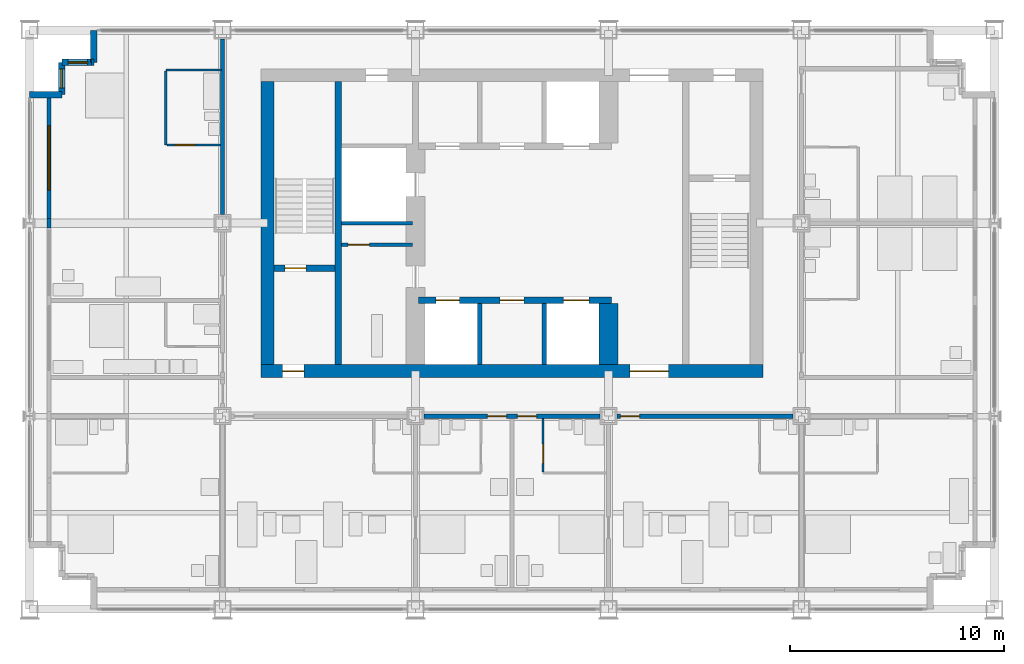
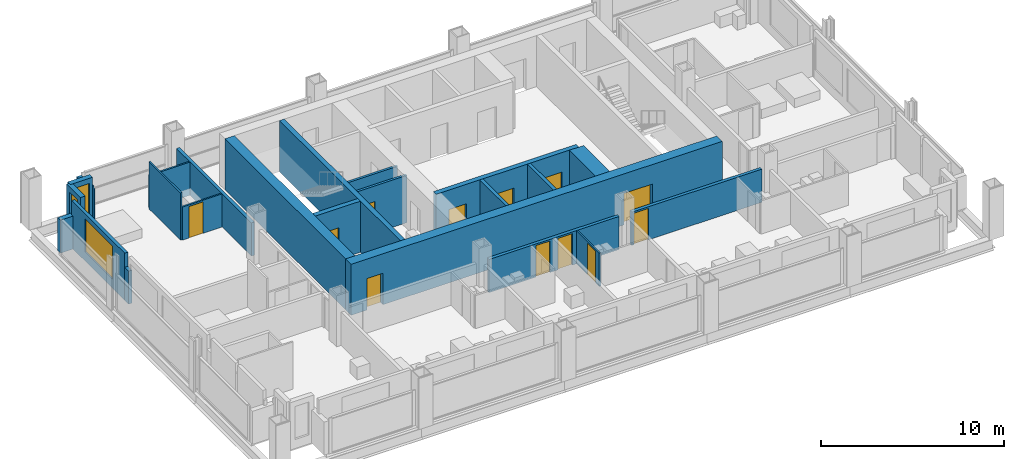
# One storey, part 8 of 13: 24 walls, 12 doors, 3 windows, 15 openings.
"""IFC4 building model written with IfcOpenShell, lengths in metres."""

from ifc_helpers import new_model, si_unit, direction, frame, frame_2d, origin, place, context, subcontext, project, spatial, rectangle, extrude, material, layer, layer_set, type_object, element, fill, save


model = new_model("IFC4")

# Units and contexts
model_context = context("Model", 3, precision=1e-05, world=origin(), true_north=direction((0.0, 1.0)))
body_context = subcontext(model_context, "Body", "Model", "MODEL_VIEW")
ifc_project = project(units=[si_unit("LENGTHUNIT", "METRE"), si_unit("AREAUNIT", "SQUARE_METRE"), si_unit("VOLUMEUNIT", "CUBIC_METRE"), si_unit("PLANEANGLEUNIT", "RADIAN"), si_unit("MASSUNIT", "GRAM", prefix="KILO")], contexts=[model_context])

# Site, building, storey
site_placement = place(None, origin())
site = spatial("IfcSite", under=ifc_project, at=site_placement, CompositionType="ELEMENT")
building_placement = place(site_placement, origin())
building = spatial("IfcBuilding", under=site, at=building_placement, Name="Loomwork Tower", CompositionType="ELEMENT")
storey_placement = place(building_placement, frame((0.0, 0.0, 218.199951171875)))
storey = spatial("IfcBuildingStorey", under=building, at=storey_placement, Name="L60", CompositionType="ELEMENT", Elevation=218.199951171875)

# Wall
ifc_material_1 = material(Name="Concrete 14000 psi (97 MPa)", Category="concrete")
ifc_layer_1 = layer(ifc_material_1, 0.300048828125)
ifc_layer_set_1 = layer_set([ifc_layer_1], Name="Core shear wall 300")
wall_type_1 = type_object("IfcWallType", Name="Core shear wall 300", PredefinedType="SHEAR", material=ifc_layer_set_1)
wall_1_placement = place(storey_placement, frame((14.39990234375, 11.39990234375, 0.0), z_axis=(0.0, 0.0, 1.0), x_axis=(0.0, 1.0, 0.0)))
element("IfcWall", 1, at=wall_1_placement, inside=storey, type_object=wall_type_1, Name="Stair A east wall L60", PredefinedType="SHEAR", context=body_context, shape_type="SweptSolid", body=[
    extrude(rectangle(XDim=13.2001953125, YDim=0.300048828125, at=frame_2d((6.60009765625, 0.0))), origin(), (0.0, 0.0, 1.0), 3.400146484375),
])

# Wall, opening, door
wall_2_placement = place(storey_placement, frame((11.39990234375, 15.89990234375, 0.0), z_axis=(0.0, 0.0, 1.0), x_axis=(1.0, 0.0, 0.0)))
wall_2 = element("IfcWall", 2, at=wall_2_placement, inside=storey, type_object=wall_type_1, Name="Stair A south wall L60", PredefinedType="SHEAR", context=body_context, shape_type="SweptSolid", body=[
    extrude(rectangle(XDim=2.85009765625, YDim=0.300048828125, at=frame_2d((1.425048828125, 0.0))), origin(), (0.0, 0.0, 1.0), 3.400146484375),
])
opening_1_placement = place(wall_2_placement, frame((0.5, 0.0, 0.0)))
opening_1 = element("IfcOpeningElement", 3, at=opening_1_placement, cuts=wall_2, Name="Opening D4", PredefinedType="OPENING", context=body_context, shape_type="SweptSolid", body=[
    extrude(rectangle(XDim=1.0, YDim=2.10009765625, at=frame_2d((0.5, 1.050048828125))), frame((0.0, 0.159912109375, 0.0), z_axis=(0.0, -1.0, 0.0), x_axis=(1.0, 0.0, 0.0)), (0.0, 0.0, 1.0), 0.320068359375),
])
ifc_material_2 = material(Name="Hollow metal door and frame")
door_type_1 = type_object("IfcDoorType", Name="Stair door 1000", OperationType="SINGLE_SWING_RIGHT", PredefinedType="DOOR", material=ifc_material_2)
door_1_placement = place(opening_1_placement, origin())
door_1 = element("IfcDoor", 4, at=door_1_placement, inside=storey, type_object=door_type_1, Name="Stair A door", OperationType="SINGLE_SWING_LEFT", OverallHeight=2.10009765625, OverallWidth=1.0, PredefinedType="DOOR", context=body_context, shape_type="SweptSolid", body=[
    extrude(rectangle(XDim=1.0, YDim=2.10009765625, at=frame_2d((0.5, 1.050048828125))), frame((0.0, 0.02490234375, 0.0), z_axis=(0.0, -1.0, 0.0), x_axis=(1.0, 0.0, 0.0)), (0.0, 0.0, 1.0), 0.050048828125),
])
fill(opening_1, door_1)

# Wall, openings, doors
wall_3_placement = place(storey_placement, frame((18.14990234375, 14.39990234375, 0.0), z_axis=(0.0, 0.0, 1.0), x_axis=(1.0, 0.0, 0.0)))
wall_3 = element("IfcWall", 5, at=wall_3_placement, inside=storey, type_object=wall_type_1, Name="Lift front wall south L60", PredefinedType="SHEAR", context=body_context, shape_type="SweptSolid", body=[
    extrude(rectangle(XDim=9.0, YDim=0.300048828125, at=frame_2d((4.5, 0.0))), origin(), (0.0, 0.0, 1.0), 3.400146484375),
])
opening_2_placement = place(wall_3_placement, frame((0.800048828125, 0.0, 0.0)))
opening_2 = element("IfcOpeningElement", 6, at=opening_2_placement, cuts=wall_3, Name="Opening LD1", PredefinedType="OPENING", context=body_context, shape_type="SweptSolid", body=[
    extrude(rectangle(XDim=1.10009765625, YDim=2.10009765625, at=frame_2d((0.550048828125, 1.050048828125))), frame((0.0, 0.159912109375, 0.0), z_axis=(0.0, -1.0, 0.0), x_axis=(1.0, 0.0, 0.0)), (0.0, 0.0, 1.0), 0.320068359375),
])
opening_3_placement = place(wall_3_placement, frame((6.75, 0.0, 0.0)))
opening_3 = element("IfcOpeningElement", 7, at=opening_3_placement, cuts=wall_3, Name="Opening LD2", PredefinedType="OPENING", context=body_context, shape_type="SweptSolid", body=[
    extrude(rectangle(XDim=1.199951171875, YDim=2.10009765625, at=frame_2d((0.60009765625, 1.050048828125))), frame((0.0, 0.159912109375, 0.0), z_axis=(0.0, -1.0, 0.0), x_axis=(1.0, 0.0, 0.0)), (0.0, 0.0, 1.0), 0.320068359375),
])
opening_4_placement = place(wall_3_placement, frame((3.800048828125, 0.0, 0.0)))
opening_4 = element("IfcOpeningElement", 8, at=opening_4_placement, cuts=wall_3, Name="Opening D17", PredefinedType="OPENING", context=body_context, shape_type="SweptSolid", body=[
    extrude(rectangle(XDim=1.10009765625, YDim=2.10009765625, at=frame_2d((0.550048828125, 1.050048828125))), frame((0.0, 0.159912109375, 0.0), z_axis=(0.0, -1.0, 0.0), x_axis=(1.0, 0.0, 0.0)), (0.0, 0.0, 1.0), 0.320068359375),
])
ifc_material_3 = material(Name="Hollow metal door and frame")
door_type_2 = type_object("IfcDoorType", Name="Lift landing door 1100", OperationType="SLIDING_TO_LEFT", PredefinedType="DOOR", material=ifc_material_3)
door_2_placement = place(opening_2_placement, origin())
door_2 = element("IfcDoor", 9, at=door_2_placement, inside=storey, type_object=door_type_2, Name="Lift landing door LC1", OperationType="SLIDING_TO_LEFT", OverallHeight=2.10009765625, OverallWidth=1.10009765625, PredefinedType="DOOR", context=body_context, shape_type="SweptSolid", body=[
    extrude(rectangle(XDim=1.10009765625, YDim=2.10009765625, at=frame_2d((0.550048828125, 1.050048828125))), frame((0.0, 0.02490234375, 0.0), z_axis=(0.0, -1.0, 0.0), x_axis=(1.0, 0.0, 0.0)), (0.0, 0.0, 1.0), 0.050048828125),
])
fill(opening_2, door_2)
ifc_material_4 = material(Name="Hollow metal door and frame")
door_type_3 = type_object("IfcDoorType", Name="Lift landing door 1200", OperationType="SLIDING_TO_LEFT", PredefinedType="DOOR", material=ifc_material_4)
door_3_placement = place(opening_3_placement, origin())
door_3 = element("IfcDoor", 10, at=door_3_placement, inside=storey, type_object=door_type_3, Name="Lift landing door LF1", OperationType="SLIDING_TO_LEFT", OverallHeight=2.10009765625, OverallWidth=1.199951171875, PredefinedType="DOOR", context=body_context, shape_type="SweptSolid", body=[
    extrude(rectangle(XDim=1.199951171875, YDim=2.10009765625, at=frame_2d((0.60009765625, 1.050048828125))), frame((0.0, 0.02490234375, 0.0), z_axis=(0.0, -1.0, 0.0), x_axis=(1.0, 0.0, 0.0)), (0.0, 0.0, 1.0), 0.050048828125),
])
fill(opening_3, door_3)
ifc_material_5 = material(Name="Hollow metal door and frame")
door_type_4 = type_object("IfcDoorType", Name="Service room door 1100", OperationType="SINGLE_SWING_LEFT", PredefinedType="DOOR", material=ifc_material_5)
door_4_placement = place(opening_4_placement, frame((1.10009765625, 0.0, 0.0), z_axis=(0.0, 0.0, 1.0), x_axis=(-1.0, 0.0, 0.0)))
door_4 = element("IfcDoor", 11, at=door_4_placement, inside=storey, type_object=door_type_4, Name="Guest pantry, ice and vending door L60", OperationType="SINGLE_SWING_RIGHT", OverallHeight=2.10009765625, OverallWidth=1.10009765625, PredefinedType="DOOR", context=body_context, shape_type="SweptSolid", body=[
    extrude(rectangle(XDim=1.10009765625, YDim=2.10009765625, at=frame_2d((0.550048828125, 1.050048828125))), frame((0.0, 0.02490234375, 0.0), z_axis=(0.0, -1.0, 0.0), x_axis=(1.0, 0.0, 0.0)), (0.0, 0.0, 1.0), 0.050048828125),
])
fill(opening_4, door_4)

ifc_material_6 = material(Name="Concrete 14000 psi (97 MPa)", Category="concrete")
ifc_layer_2 = layer(ifc_material_6, 0.60009765625)
ifc_layer_set_2 = layer_set([ifc_layer_2], Name="Core shear wall 600")
wall_type_2 = type_object("IfcWallType", Name="Core shear wall 600", PredefinedType="SHEAR", material=ifc_layer_set_2)
wall_4_placement = place(storey_placement, frame((10.800048828125, 11.10009765625, 0.0), z_axis=(0.0, 0.0, 1.0), x_axis=(1.0, 0.0, 0.0)))
wall_4 = element("IfcWall", 12, at=wall_4_placement, inside=storey, type_object=wall_type_2, Name="Core wall south L60", PredefinedType="SHEAR", context=body_context, shape_type="SweptSolid", body=[
    extrude(rectangle(XDim=23.39990234375, YDim=0.60009765625, at=frame_2d((11.699951171875, 0.0))), origin(), (0.0, 0.0, 1.0), 3.400146484375),
])
opening_5_placement = place(wall_4_placement, frame((1.0, 0.0, 0.0)))
opening_5 = element("IfcOpeningElement", 13, at=opening_5_placement, cuts=wall_4, Name="Opening D4", PredefinedType="OPENING", context=body_context, shape_type="SweptSolid", body=[
    extrude(rectangle(XDim=1.0, YDim=2.10009765625, at=frame_2d((0.5, 1.050048828125))), frame((0.0, 0.31005859375, 0.0), z_axis=(0.0, -1.0, 0.0), x_axis=(1.0, 0.0, 0.0)), (0.0, 0.0, 1.0), 0.6201171875),
])
opening_6_placement = place(wall_4_placement, frame((17.199951171875, 0.0, 0.0)))
opening_6 = element("IfcOpeningElement", 14, at=opening_6_placement, cuts=wall_4, Name="Opening D6", PredefinedType="OPENING", context=body_context, shape_type="SweptSolid", body=[
    extrude(rectangle(XDim=1.800048828125, YDim=2.10009765625, at=frame_2d((0.89990234375, 1.050048828125))), frame((0.0, 0.31005859375, 0.0), z_axis=(0.0, -1.0, 0.0), x_axis=(1.0, 0.0, 0.0)), (0.0, 0.0, 1.0), 0.6201171875),
])
ifc_material_7 = material(Name="Hollow metal door and frame")
door_type_5 = type_object("IfcDoorType", Name="Lobby passage double door 1800", OperationType="DOUBLE_DOOR_SINGLE_SWING", PredefinedType="DOOR", material=ifc_material_7)
door_5_placement = place(opening_6_placement, origin())
door_5 = element("IfcDoor", 15, at=door_5_placement, inside=storey, type_object=door_type_5, Name="Lobby passage door south", OperationType="DOUBLE_DOOR_SINGLE_SWING", OverallHeight=2.10009765625, OverallWidth=1.800048828125, PredefinedType="DOOR", context=body_context, shape_type="SweptSolid", body=[
    extrude(rectangle(XDim=1.800048828125, YDim=2.10009765625, at=frame_2d((0.89990234375, 1.050048828125))), frame((0.0, 0.02490234375, 0.0), z_axis=(0.0, -1.0, 0.0), x_axis=(1.0, 0.0, 0.0)), (0.0, 0.0, 1.0), 0.050048828125),
])
fill(opening_6, door_5)
door_6_placement = place(opening_5_placement, origin())
door_6 = element("IfcDoor", 16, at=door_6_placement, inside=storey, type_object=door_type_1, Name="Stair A vestibule door", OperationType="SINGLE_SWING_LEFT", OverallHeight=2.10009765625, OverallWidth=1.0, PredefinedType="DOOR", context=body_context, shape_type="SweptSolid", body=[
    extrude(rectangle(XDim=1.0, YDim=2.10009765625, at=frame_2d((0.5, 1.050048828125))), frame((0.0, 0.02490234375, 0.0), z_axis=(0.0, -1.0, 0.0), x_axis=(1.0, 0.0, 0.0)), (0.0, 0.0, 1.0), 0.050048828125),
])
fill(opening_5, door_6)

# Walls
wall_5_placement = place(storey_placement, frame((11.10009765625, 11.39990234375, 0.0), z_axis=(0.0, 0.0, 1.0), x_axis=(0.0, 1.0, 0.0)))
element("IfcWall", 17, at=wall_5_placement, inside=storey, type_object=wall_type_2, Name="Core wall west L60", PredefinedType="SHEAR", context=body_context, shape_type="SweptSolid", body=[
    extrude(rectangle(XDim=13.2001953125, YDim=0.60009765625, at=frame_2d((6.60009765625, 0.0))), origin(), (0.0, 0.0, 1.0), 3.400146484375),
])
ifc_material_8 = material(Name="Concrete 14000 psi (97 MPa)", Category="concrete")
ifc_layer_3 = layer(ifc_material_8, 0.89990234375)
ifc_layer_set_3 = layer_set([ifc_layer_3], Name="Core shear wall 900")
wall_type_3 = type_object("IfcWallType", Name="Core shear wall 900", PredefinedType="SHEAR", material=ifc_layer_set_3)
wall_6_placement = place(storey_placement, frame((27.0, 11.39990234375, 0.0), z_axis=(0.0, 0.0, 1.0), x_axis=(0.0, 1.0, 0.0)))
element("IfcWall", 18, at=wall_6_placement, inside=storey, type_object=wall_type_3, Name="Lift shaft end wall south L60", PredefinedType="SHEAR", context=body_context, shape_type="SweptSolid", body=[
    extrude(rectangle(XDim=2.85009765625, YDim=0.89990234375, at=frame_2d((1.425048828125, 0.0))), origin(), (0.0, 0.0, 1.0), 3.400146484375),
])

# Wall, openings, doors
ifc_material_9 = material(Name="Gypsum board on steel studs, one-hour", Category="steel")
ifc_layer_4 = layer(ifc_material_9, 0.199951171875)
ifc_layer_set_4 = layer_set([ifc_layer_4], Name="Corridor wall 200")
wall_type_4 = type_object("IfcWallType", Name="Corridor wall 200", PredefinedType="PARTITIONING", material=ifc_layer_set_4)
wall_7_placement = place(storey_placement, frame((18.39990234375, 9.0, 0.0), z_axis=(0.0, 0.0, 1.0), x_axis=(1.0, 0.0, 0.0)))
wall_7 = element("IfcWall", 19, at=wall_7_placement, inside=storey, type_object=wall_type_4, Name="South corridor wall 3", PredefinedType="PARTITIONING", context=body_context, shape_type="SweptSolid", body=[
    extrude(rectangle(XDim=8.2001953125, YDim=0.199951171875, at=frame_2d((4.10009765625, 0.0))), origin(), (0.0, 0.0, 1.0), 2.210205078125),
])
opening_7_placement = place(wall_7_placement, frame((2.949951171875, 0.0, 0.0)))
opening_7 = element("IfcOpeningElement", 20, at=opening_7_placement, cuts=wall_7, Name="Opening D1", PredefinedType="OPENING", context=body_context, shape_type="SweptSolid", body=[
    extrude(rectangle(XDim=0.89990234375, YDim=2.10009765625, at=frame_2d((0.449951171875, 1.050048828125))), frame((0.0, 0.10986328125, 0.0), z_axis=(0.0, -1.0, 0.0), x_axis=(1.0, 0.0, 0.0)), (0.0, 0.0, 1.0), 0.219970703125),
])
opening_8_placement = place(wall_7_placement, frame((4.35009765625, 0.0, 0.0)))
opening_8 = element("IfcOpeningElement", 21, at=opening_8_placement, cuts=wall_7, Name="Opening D1", PredefinedType="OPENING", context=body_context, shape_type="SweptSolid", body=[
    extrude(rectangle(XDim=0.89990234375, YDim=2.10009765625, at=frame_2d((0.449951171875, 1.050048828125))), frame((0.0, 0.10986328125, 0.0), z_axis=(0.0, -1.0, 0.0), x_axis=(1.0, 0.0, 0.0)), (0.0, 0.0, 1.0), 0.219970703125),
])
ifc_material_10 = material(Name="Hollow metal door and frame")
door_type_6 = type_object("IfcDoorType", Name="Guest room entry door 900", OperationType="SINGLE_SWING_LEFT", PredefinedType="DOOR", material=ifc_material_10)
door_7_placement = place(opening_7_placement, frame((0.89990234375, 0.0, 0.0), z_axis=(0.0, 0.0, 1.0), x_axis=(-1.0, 0.0, 0.0)))
door_7 = element("IfcDoor", 22, at=door_7_placement, inside=storey, type_object=door_type_6, Name="Guest room entry door L60 3", OperationType="SINGLE_SWING_LEFT", OverallHeight=2.10009765625, OverallWidth=0.89990234375, PredefinedType="DOOR", context=body_context, shape_type="SweptSolid", body=[
    extrude(rectangle(XDim=0.89990234375, YDim=2.10009765625, at=frame_2d((0.449951171875, 1.050048828125))), frame((0.0, 0.02490234375, 0.0), z_axis=(0.0, -1.0, 0.0), x_axis=(1.0, 0.0, 0.0)), (0.0, 0.0, 1.0), 0.050048828125),
])
fill(opening_7, door_7)
door_8_placement = place(opening_8_placement, frame((0.89990234375, 0.0, 0.0), z_axis=(0.0, 0.0, 1.0), x_axis=(-1.0, 0.0, 0.0)))
door_8 = element("IfcDoor", 23, at=door_8_placement, inside=storey, type_object=door_type_6, Name="Guest room entry door L60 4", OperationType="SINGLE_SWING_RIGHT", OverallHeight=2.10009765625, OverallWidth=0.89990234375, PredefinedType="DOOR", context=body_context, shape_type="SweptSolid", body=[
    extrude(rectangle(XDim=0.89990234375, YDim=2.10009765625, at=frame_2d((0.449951171875, 1.050048828125))), frame((0.0, 0.02490234375, 0.0), z_axis=(0.0, -1.0, 0.0), x_axis=(1.0, 0.0, 0.0)), (0.0, 0.0, 1.0), 0.050048828125),
])
fill(opening_8, door_8)

# Wall, opening, door
wall_8_placement = place(storey_placement, frame((27.39990234375, 9.0, 0.0), z_axis=(0.0, 0.0, 1.0), x_axis=(1.0, 0.0, 0.0)))
wall_8 = element("IfcWall", 24, at=wall_8_placement, inside=storey, type_object=wall_type_4, Name="South corridor wall 4", PredefinedType="PARTITIONING", context=body_context, shape_type="SweptSolid", body=[
    extrude(rectangle(XDim=8.2001953125, YDim=0.199951171875, at=frame_2d((4.10009765625, 0.0))), origin(), (0.0, 0.0, 1.0), 2.210205078125),
])
opening_9_placement = place(wall_8_placement, frame((0.14990234375, 0.0, 0.0)))
opening_9 = element("IfcOpeningElement", 25, at=opening_9_placement, cuts=wall_8, Name="Opening D1", PredefinedType="OPENING", context=body_context, shape_type="SweptSolid", body=[
    extrude(rectangle(XDim=0.89990234375, YDim=2.10009765625, at=frame_2d((0.449951171875, 1.050048828125))), frame((0.0, 0.10986328125, 0.0), z_axis=(0.0, -1.0, 0.0), x_axis=(1.0, 0.0, 0.0)), (0.0, 0.0, 1.0), 0.219970703125),
])
door_9_placement = place(opening_9_placement, frame((0.89990234375, 0.0, 0.0), z_axis=(0.0, 0.0, 1.0), x_axis=(-1.0, 0.0, 0.0)))
door_9 = element("IfcDoor", 26, at=door_9_placement, inside=storey, type_object=door_type_6, Name="Guest room entry door L60 5", OperationType="SINGLE_SWING_RIGHT", OverallHeight=2.10009765625, OverallWidth=0.89990234375, PredefinedType="DOOR", context=body_context, shape_type="SweptSolid", body=[
    extrude(rectangle(XDim=0.89990234375, YDim=2.10009765625, at=frame_2d((0.449951171875, 1.050048828125))), frame((0.0, 0.02490234375, 0.0), z_axis=(0.0, -1.0, 0.0), x_axis=(1.0, 0.0, 0.0)), (0.0, 0.0, 1.0), 0.050048828125),
])
fill(opening_9, door_9)

# Wall
wall_9_placement = place(storey_placement, frame((9.0, 18.39990234375, 0.0), z_axis=(0.0, 0.0, 1.0), x_axis=(0.0, 1.0, 0.0)))
element("IfcWall", 27, at=wall_9_placement, inside=storey, type_object=wall_type_4, Name="West corridor wall 2", PredefinedType="PARTITIONING", context=body_context, shape_type="SweptSolid", body=[
    extrude(rectangle(XDim=8.2001953125, YDim=0.199951171875, at=frame_2d((4.10009765625, 0.0))), origin(), (0.0, 0.0, 1.0), 2.210205078125),
])

# Wall, opening, door
ifc_material_11 = material(Name="Cement board on steel studs", Category="steel")
ifc_layer_5 = layer(ifc_material_11, 0.10009765625)
ifc_layer_set_5 = layer_set([ifc_layer_5], Name="En-suite partition 100")
wall_type_5 = type_object("IfcWallType", Name="En-suite partition 100", PredefinedType="PARTITIONING", material=ifc_layer_set_5)
wall_10_placement = place(storey_placement, frame((23.949951171875, 8.89990234375, 0.0), z_axis=(0.0, 0.0, 1.0), x_axis=(0.0, -1.0, 0.0)))
wall_10 = element("IfcWall", 28, at=wall_10_placement, inside=storey, type_object=wall_type_5, Name="En-suite side wall L60 room 4", PredefinedType="PARTITIONING", context=body_context, shape_type="SweptSolid", body=[
    extrude(rectangle(XDim=2.5, YDim=0.10009765625, at=frame_2d((1.25, 0.0))), origin(), (0.0, 0.0, 1.0), 2.2099609375),
])
opening_10_placement = place(wall_10_placement, frame((1.199951171875, 0.0, 0.0)))
opening_10 = element("IfcOpeningElement", 29, at=opening_10_placement, cuts=wall_10, Name="Opening D2", PredefinedType="OPENING", context=body_context, shape_type="SweptSolid", body=[
    extrude(rectangle(XDim=0.89990234375, YDim=2.10009765625, at=frame_2d((0.449951171875, 1.050048828125))), frame((0.0, 0.06005859375, 0.0), z_axis=(0.0, -1.0, 0.0), x_axis=(1.0, 0.0, 0.0)), (0.0, 0.0, 1.0), 0.1201171875),
])
ifc_material_12 = material(Name="Hollow metal door and frame")
door_type_7 = type_object("IfcDoorType", Name="En-suite door 900", OperationType="SINGLE_SWING_LEFT", PredefinedType="DOOR", material=ifc_material_12)
door_10_placement = place(opening_10_placement, origin())
door_10 = element("IfcDoor", 30, at=door_10_placement, inside=storey, type_object=door_type_7, Name="En-suite door room 4", OperationType="SINGLE_SWING_RIGHT", OverallHeight=2.10009765625, OverallWidth=0.89990234375, PredefinedType="DOOR", context=body_context, shape_type="SweptSolid", body=[
    extrude(rectangle(XDim=0.89990234375, YDim=2.10009765625, at=frame_2d((0.449951171875, 1.050048828125))), frame((0.0, 0.02490234375, 0.0), z_axis=(0.0, -1.0, 0.0), x_axis=(1.0, 0.0, 0.0)), (0.0, 0.0, 1.0), 0.050048828125),
])
fill(opening_10, door_10)

# Wall
wall_11_placement = place(storey_placement, frame((6.35009765625, 21.64990234375, 0.0), z_axis=(0.0, 0.0, 1.0), x_axis=(0.0, 1.0, 0.0)))
element("IfcWall", 31, at=wall_11_placement, inside=storey, type_object=wall_type_5, Name="En-suite wall L60 room 8", PredefinedType="PARTITIONING", context=body_context, shape_type="SweptSolid", body=[
    extrude(rectangle(XDim=3.4501953125, YDim=0.10009765625, at=frame_2d((1.72509765625, 0.0))), origin(), (0.0, 0.0, 1.0), 3.150146484375),
])

# Wall, opening, door
wall_12_placement = place(storey_placement, frame((8.89990234375, 21.64990234375, 0.0), z_axis=(0.0, 0.0, 1.0), x_axis=(-1.0, 0.0, 0.0)))
wall_12 = element("IfcWall", 32, at=wall_12_placement, inside=storey, type_object=wall_type_5, Name="En-suite side wall L60 room 8", PredefinedType="PARTITIONING", context=body_context, shape_type="SweptSolid", body=[
    extrude(rectangle(XDim=2.5, YDim=0.10009765625, at=frame_2d((1.25, 0.0))), origin(), (0.0, 0.0, 1.0), 2.2099609375),
])
opening_11_placement = place(wall_12_placement, frame((1.199951171875, 0.0, 0.0)))
opening_11 = element("IfcOpeningElement", 33, at=opening_11_placement, cuts=wall_12, Name="Opening D2", PredefinedType="OPENING", context=body_context, shape_type="SweptSolid", body=[
    extrude(rectangle(XDim=0.89990234375, YDim=2.10009765625, at=frame_2d((0.449951171875, 1.050048828125))), frame((0.0, 0.06005859375, 0.0), z_axis=(0.0, -1.0, 0.0), x_axis=(1.0, 0.0, 0.0)), (0.0, 0.0, 1.0), 0.1201171875),
])
door_11_placement = place(opening_11_placement, frame((0.89990234375, 0.0, 0.0), z_axis=(0.0, 0.0, 1.0), x_axis=(-1.0, 0.0, 0.0)))
door_11 = element("IfcDoor", 34, at=door_11_placement, inside=storey, type_object=door_type_7, Name="En-suite door room 8", OperationType="SINGLE_SWING_LEFT", OverallHeight=2.10009765625, OverallWidth=0.89990234375, PredefinedType="DOOR", context=body_context, shape_type="SweptSolid", body=[
    extrude(rectangle(XDim=0.89990234375, YDim=2.10009765625, at=frame_2d((0.449951171875, 1.050048828125))), frame((0.0, 0.02490234375, 0.0), z_axis=(0.0, -1.0, 0.0), x_axis=(1.0, 0.0, 0.0)), (0.0, 0.0, 1.0), 0.050048828125),
])
fill(opening_11, door_11)

# Walls
wall_13_placement = place(storey_placement, frame((6.35009765625, 25.14990234375, 0.0), z_axis=(0.0, 0.0, 1.0), x_axis=(1.0, 0.0, 0.0)))
element("IfcWall", 35, at=wall_13_placement, inside=storey, type_object=wall_type_5, Name="En-suite wall L60 stub", PredefinedType="PARTITIONING", context=body_context, shape_type="SweptSolid", body=[
    extrude(rectangle(XDim=2.599853515625, YDim=0.10009765625, at=frame_2d((1.2998046875, 0.0))), origin(), (0.0, 0.0, 1.0), 2.2099609375),
])
ifc_material_13 = material(Name="Insulated steel stud wall with gypsum lining", Category="steel")
ifc_layer_6 = layer(ifc_material_13, 0.199951171875)
ifc_layer_set_6 = layer_set([ifc_layer_6], Name="Inner skin wall 200")
wall_type_6 = type_object("IfcWallType", Name="Inner skin wall 200", PredefinedType="SOLIDWALL", material=ifc_layer_set_6)
wall_14_placement = place(storey_placement, frame((0.89990234375, 17.785888671875, 0.0), z_axis=(0.0, 0.0, 1.0), x_axis=(0.0, 1.0, 0.0)))
element("IfcWall", 36, at=wall_14_placement, inside=storey, type_object=wall_type_6, Name="Inner skin wall W bay 7", PredefinedType="SOLIDWALL", context=body_context, shape_type="SweptSolid", body=[
    extrude(rectangle(XDim=0.42822265625, YDim=0.199951171875, at=frame_2d((0.214111328125, 0.0))), origin(), (0.0, 0.0, 1.0), 2.2021484375),
])

# Wall, opening, window
wall_15_placement = place(storey_placement, frame((0.89990234375, 18.214111328125, 0.0), z_axis=(0.0, 0.0, 1.0), x_axis=(0.0, 1.0, 0.0)))
wall_15 = element("IfcWall", 37, at=wall_15_placement, inside=storey, type_object=wall_type_6, Name="Inner skin wall W bay 8", PredefinedType="SOLIDWALL", context=body_context, shape_type="SweptSolid", body=[
    extrude(rectangle(XDim=5.785888671875, YDim=0.199951171875, at=frame_2d((2.89306640625, 0.0))), origin(), (0.0, 0.0, 1.0), 3.150146484375),
])
opening_12_placement = place(wall_15_placement, frame((1.3359375, 0.0, 0.60009765625)))
opening_12 = element("IfcOpeningElement", 38, at=opening_12_placement, cuts=wall_15, Name="Opening CH1", PredefinedType="OPENING", context=body_context, shape_type="SweptSolid", body=[
    extrude(rectangle(XDim=3.0, YDim=2.199951171875, at=frame_2d((1.5, 1.10009765625))), frame((0.0, 0.10986328125, 0.0), z_axis=(0.0, -1.0, 0.0), x_axis=(1.0, 0.0, 0.0)), (0.0, 0.0, 1.0), 0.219970703125),
])
ifc_material_14 = material(Name="Aluminium frame with clear insulated glass", Category="aluminium")
window_type_1 = type_object("IfcWindowType", Name="Chicago window 3000", PartitioningType="TRIPLE_PANEL_VERTICAL", PredefinedType="WINDOW", material=ifc_material_14)
window_1_placement = place(opening_12_placement, origin())
window_1 = element("IfcWindow", 39, at=window_1_placement, inside=storey, type_object=window_type_1, Name="Chicago window L60 bay 7", OverallHeight=2.199951171875, OverallWidth=3.0, PartitioningType="TRIPLE_PANEL_VERTICAL", PredefinedType="WINDOW", context=body_context, shape_type="SweptSolid", body=[
    extrude(rectangle(XDim=3.0, YDim=2.199951171875, at=frame_2d((1.5, 1.10009765625))), frame((0.0, 0.030029296875, 0.0), z_axis=(0.0, -1.0, 0.0), x_axis=(1.0, 0.0, 0.0)), (0.0, 0.0, 1.0), 0.06005859375),
])
fill(opening_12, window_1)

# Walls
ifc_material_15 = material(Name="Concrete 14000 psi (97 MPa)", Category="concrete")
ifc_layer_7 = layer(ifc_material_15, 0.199951171875)
ifc_layer_set_7 = layer_set([ifc_layer_7], Name="Lift shaft wall 200")
wall_type_7 = type_object("IfcWallType", Name="Lift shaft wall 200", PredefinedType="SHEAR", material=ifc_layer_set_7)
for number, where, z_axis, x_axis, name in (
    (40, (21.0, 11.39990234375, 0.0), (0.0, 0.0, 1.0), (0.0, 1.0, 0.0), "Lift shaft separation wall south 1 L60"),
    (41, (24.0, 11.39990234375, 0.0), (0.0, 0.0, 1.0), (0.0, 1.0, 0.0), "Lift shaft separation wall south 2 L60"),
):
    element("IfcWall", number, at=place(storey_placement, frame(where, z_axis=z_axis, x_axis=x_axis)), inside=storey, type_object=wall_type_7, Name=name, PredefinedType="SHEAR", context=body_context, shape_type="SweptSolid", body=[
        extrude(rectangle(XDim=2.85009765625, YDim=0.199951171875, at=frame_2d((1.425048828125, 0.0))), origin(), (0.0, 0.0, 1.0), 3.400146484375),
    ])
ifc_material_16 = material(Name="Limestone on concrete masonry", Category="masonry")
ifc_layer_8 = layer(ifc_material_16, 0.300048828125)
ifc_layer_set_8 = layer_set([ifc_layer_8], Name="Limestone corner wall 300")
wall_type_8 = type_object("IfcWallType", Name="Limestone corner wall 300", PredefinedType="SOLIDWALL", material=ifc_layer_set_8)
wall_16_placement = place(storey_placement, frame((3.0, 27.0, 0.0), z_axis=(0.0, 0.0, 1.0), x_axis=(0.0, -1.0, 0.0)))
element("IfcWall", 42, at=wall_16_placement, inside=storey, type_object=wall_type_8, Name="Stone corner wall NW 1", PredefinedType="SOLIDWALL", context=body_context, shape_type="SweptSolid", body=[
    extrude(rectangle(XDim=1.5, YDim=0.300048828125, at=frame_2d((0.75, 0.0))), origin(), (0.0, 0.0, 1.0), 2.2021484375),
])
wall_17_placement = place(storey_placement, frame((3.0, 25.5, 0.0), z_axis=(0.0, 0.0, 1.0), x_axis=(-1.0, 0.0, 0.0)))
element("IfcWall", 43, at=wall_17_placement, inside=storey, type_object=wall_type_8, Name="Stone corner wall NW 2", PredefinedType="SOLIDWALL", context=body_context, shape_type="SweptSolid", body=[
    extrude(rectangle(XDim=0.1162109375, YDim=0.300048828125, at=frame_2d((0.05810546875, 0.0))), origin(), (0.0, 0.0, 1.0), 2.5419921875),
])

# Wall, opening, window
wall_18_placement = place(storey_placement, frame((1.5, 25.5, 0.0), z_axis=(0.0, 0.0, 1.0), x_axis=(0.0, -1.0, 0.0)))
wall_18 = element("IfcWall", 44, at=wall_18_placement, inside=storey, type_object=wall_type_8, Name="Stone corner wall NW 3", PredefinedType="SOLIDWALL", context=body_context, shape_type="SweptSolid", body=[
    extrude(rectangle(XDim=1.5, YDim=0.300048828125, at=frame_2d((0.75, 0.0))), origin(), (0.0, 0.0, 1.0), 3.150146484375),
])
opening_13_placement = place(wall_18_placement, frame((0.300048828125, 0.0, 0.60009765625)))
opening_13 = element("IfcOpeningElement", 45, at=opening_13_placement, cuts=wall_18, Name="Opening CH2", PredefinedType="OPENING", context=body_context, shape_type="SweptSolid", body=[
    extrude(rectangle(XDim=0.89990234375, YDim=2.199951171875, at=frame_2d((0.449951171875, 1.10009765625))), frame((0.0, 0.159912109375, 0.0), z_axis=(0.0, -1.0, 0.0), x_axis=(1.0, 0.0, 0.0)), (0.0, 0.0, 1.0), 0.320068359375),
])
ifc_material_17 = material(Name="Aluminium frame with clear insulated glass", Category="aluminium")
window_type_2 = type_object("IfcWindowType", Name="Corner window 900", PartitioningType="SINGLE_PANEL", PredefinedType="WINDOW", material=ifc_material_17)
window_2_placement = place(opening_13_placement, origin())
window_2 = element("IfcWindow", 46, at=window_2_placement, inside=storey, type_object=window_type_2, Name="Corner window NW", OverallHeight=2.199951171875, OverallWidth=0.89990234375, PartitioningType="SINGLE_PANEL", PredefinedType="WINDOW", context=body_context, shape_type="SweptSolid", body=[
    extrude(rectangle(XDim=0.89990234375, YDim=2.199951171875, at=frame_2d((0.449951171875, 1.10009765625))), frame((0.0, 0.030029296875, 0.0), z_axis=(0.0, -1.0, 0.0), x_axis=(1.0, 0.0, 0.0)), (0.0, 0.0, 1.0), 0.06005859375),
])
fill(opening_13, window_2)

# Wall
wall_19_placement = place(storey_placement, frame((1.5, 24.0, 0.0), z_axis=(0.0, 0.0, 1.0), x_axis=(-1.0, 0.0, 0.0)))
element("IfcWall", 47, at=wall_19_placement, inside=storey, type_object=wall_type_8, Name="Stone corner wall NW 4", PredefinedType="SOLIDWALL", context=body_context, shape_type="SweptSolid", body=[
    extrude(rectangle(XDim=1.5, YDim=0.300048828125, at=frame_2d((0.75, 0.0))), origin(), (0.0, 0.0, 1.0), 2.2021484375),
])

# Wall, opening, window
wall_20_placement = place(storey_placement, frame((2.8837890625, 25.5, 0.0), z_axis=(0.0, 0.0, 1.0), x_axis=(-1.0, 0.0, 0.0)))
wall_20 = element("IfcWall", 48, at=wall_20_placement, inside=storey, type_object=wall_type_8, Name="Stone corner wall NW 2 bay 2", PredefinedType="SOLIDWALL", context=body_context, shape_type="SweptSolid", body=[
    extrude(rectangle(XDim=1.3837890625, YDim=0.300048828125, at=frame_2d((0.69189453125, 0.0))), origin(), (0.0, 0.0, 1.0), 3.150146484375),
])
opening_14_placement = place(wall_20_placement, frame((0.183837890625, 0.0, 0.60009765625)))
opening_14 = element("IfcOpeningElement", 49, at=opening_14_placement, cuts=wall_20, Name="Opening CH2", PredefinedType="OPENING", context=body_context, shape_type="SweptSolid", body=[
    extrude(rectangle(XDim=0.89990234375, YDim=2.199951171875, at=frame_2d((0.449951171875, 1.10009765625))), frame((0.0, 0.159912109375, 0.0), z_axis=(0.0, -1.0, 0.0), x_axis=(1.0, 0.0, 0.0)), (0.0, 0.0, 1.0), 0.320068359375),
])
window_3_placement = place(opening_14_placement, origin())
window_3 = element("IfcWindow", 50, at=window_3_placement, inside=storey, type_object=window_type_2, Name="Corner window NW", OverallHeight=2.199951171875, OverallWidth=0.89990234375, PartitioningType="SINGLE_PANEL", PredefinedType="WINDOW", context=body_context, shape_type="SweptSolid", body=[
    extrude(rectangle(XDim=0.89990234375, YDim=2.199951171875, at=frame_2d((0.449951171875, 1.10009765625))), frame((0.0, 0.030029296875, 0.0), z_axis=(0.0, -1.0, 0.0), x_axis=(1.0, 0.0, 0.0)), (0.0, 0.0, 1.0), 0.06005859375),
])
fill(opening_14, window_3)

# Wall
ifc_material_18 = material(Name="Gypsum board on steel studs", Category="steel")
ifc_layer_9 = layer(ifc_material_18, 0.14990234375)
ifc_layer_set_9 = layer_set([ifc_layer_9], Name="Partition 150 two-hour")
wall_type_9 = type_object("IfcWallType", Name="Partition 150 two-hour", PredefinedType="PARTITIONING", material=ifc_layer_set_9)
wall_21_placement = place(storey_placement, frame((14.550048828125, 18.0, 0.0), z_axis=(0.0, 0.0, 1.0), x_axis=(1.0, 0.0, 0.0)))
element("IfcWall", 51, at=wall_21_placement, inside=storey, type_object=wall_type_9, Name="Back-of-house dividing wall L60", PredefinedType="PARTITIONING", context=body_context, shape_type="SweptSolid", body=[
    extrude(rectangle(XDim=3.300048828125, YDim=0.14990234375, at=frame_2d((1.64990234375, 0.0))), origin(), (0.0, 0.0, 1.0), 3.150146484375),
])

# Wall, opening, door
ifc_material_19 = material(Name="Gypsum board on steel studs, one-hour", Category="steel")
ifc_layer_10 = layer(ifc_material_19, 0.14990234375)
ifc_layer_set_10 = layer_set([ifc_layer_10], Name="Service partition 150")
wall_type_10 = type_object("IfcWallType", Name="Service partition 150", PredefinedType="PARTITIONING", material=ifc_layer_set_10)
wall_22_placement = place(storey_placement, frame((14.550048828125, 17.0, 0.0), z_axis=(0.0, 0.0, 1.0), x_axis=(1.0, 0.0, 0.0)))
wall_22 = element("IfcWall", 52, at=wall_22_placement, inside=storey, type_object=wall_type_10, Name="Riser enclosure L60", PredefinedType="PARTITIONING", context=body_context, shape_type="SweptSolid", body=[
    extrude(rectangle(XDim=3.300048828125, YDim=0.14990234375, at=frame_2d((1.64990234375, 0.0))), origin(), (0.0, 0.0, 1.0), 3.150146484375),
])
opening_15_placement = place(wall_22_placement, frame((0.300048828125, 0.0, 0.0)))
opening_15 = element("IfcOpeningElement", 53, at=opening_15_placement, cuts=wall_22, Name="Opening D18", PredefinedType="OPENING", context=body_context, shape_type="SweptSolid", body=[
    extrude(rectangle(XDim=1.0, YDim=2.10009765625, at=frame_2d((0.5, 1.050048828125))), frame((0.0, 0.0849609375, 0.0), z_axis=(0.0, -1.0, 0.0), x_axis=(1.0, 0.0, 0.0)), (0.0, 0.0, 1.0), 0.169921875),
])
ifc_material_20 = material(Name="Hollow metal door and frame")
door_type_8 = type_object("IfcDoorType", Name="Ninety-minute service door 1000", OperationType="SINGLE_SWING_LEFT", PredefinedType="DOOR", material=ifc_material_20)
door_12_placement = place(opening_15_placement, frame((1.0, 0.0, 0.0), z_axis=(0.0, 0.0, 1.0), x_axis=(-1.0, 0.0, 0.0)))
door_12 = element("IfcDoor", 54, at=door_12_placement, inside=storey, type_object=door_type_8, Name="Riser access door", OperationType="SINGLE_SWING_RIGHT", OverallHeight=2.10009765625, OverallWidth=1.0, PredefinedType="DOOR", context=body_context, shape_type="SweptSolid", body=[
    extrude(rectangle(XDim=1.0, YDim=2.10009765625, at=frame_2d((0.5, 1.050048828125))), frame((0.0, 0.02490234375, 0.0), z_axis=(0.0, -1.0, 0.0), x_axis=(1.0, 0.0, 0.0)), (0.0, 0.0, 1.0), 0.050048828125),
])
fill(opening_15, door_12)

save(model, "model.ifc")
